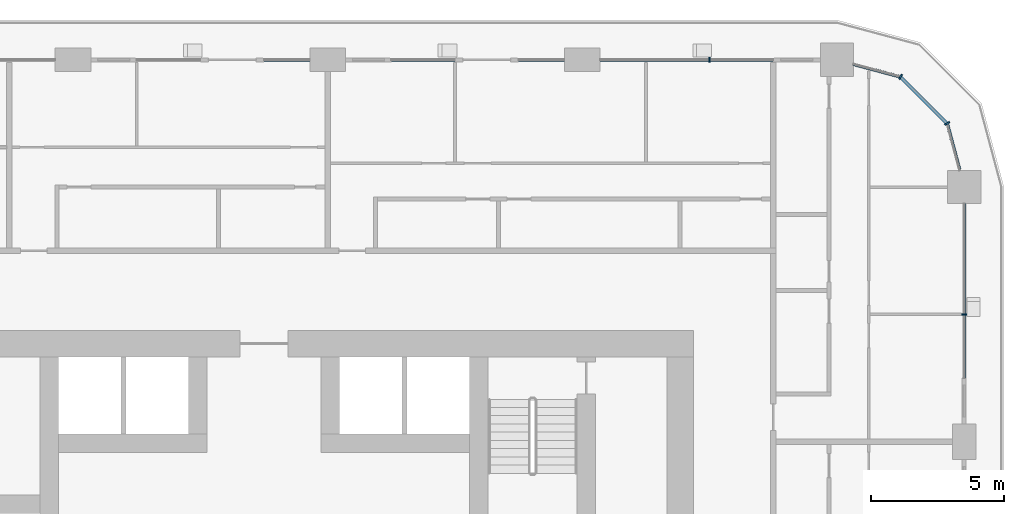
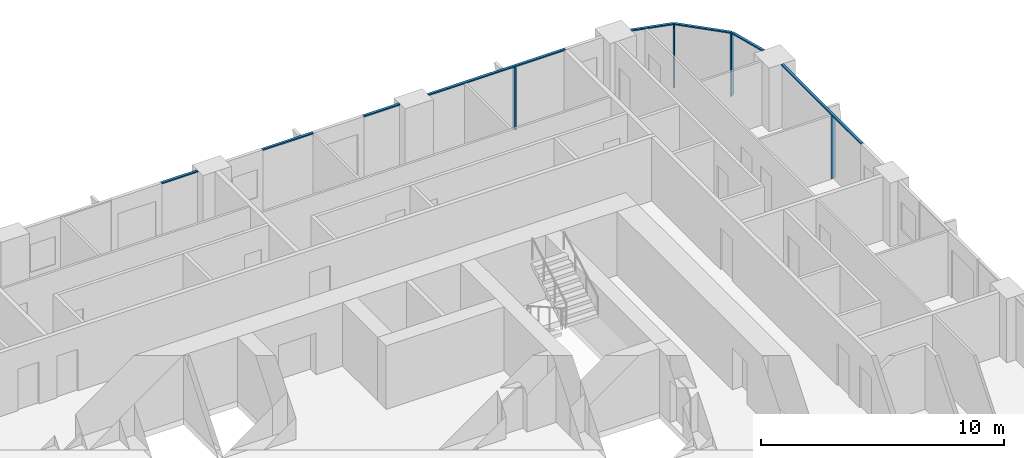
# One storey, part 6 of 21: 12 members, 5 elements without a shape of their own.
"""IFC4 building model written with IfcOpenShell, lengths in metres."""

from ifc_helpers import new_model, si_unit, direction, frame, origin, origin_2d, place, context, subcontext, project, spatial, rectangle, extrude, material, layer, layer_set, material_profile, profile_set, type_object, element, aggregate, save


model = new_model("IFC4")

# Units and contexts
model_context = context("Model", 3, precision=1e-05, world=origin(), true_north=direction((0.0, 1.0)))
body_context = subcontext(model_context, "Body", "Model", "MODEL_VIEW")
ifc_project = project(units=[si_unit("LENGTHUNIT", "METRE"), si_unit("AREAUNIT", "SQUARE_METRE"), si_unit("VOLUMEUNIT", "CUBIC_METRE"), si_unit("PLANEANGLEUNIT", "RADIAN"), si_unit("MASSUNIT", "GRAM", prefix="KILO")], contexts=[model_context])

# Site, building, storey
site_placement = place(None, origin())
site = spatial("IfcSite", under=ifc_project, at=site_placement, CompositionType="ELEMENT")
building_placement = place(site_placement, origin())
building = spatial("IfcBuilding", under=site, at=building_placement, Name="Madar Terraces", CompositionType="ELEMENT")
storey_placement = place(building_placement, frame((0.0, 0.0, 46.89990234375)))
storey = spatial("IfcBuildingStorey", under=building, at=storey_placement, Name="L11", CompositionType="ELEMENT", Elevation=46.89990234375)

# Curtain wall, member
ifc_material_1 = material(Name="Glass, ceramic frit dark grey, with black aluminium frame", Category="aluminium")
ifc_layer = layer(ifc_material_1, 0.199951171875)
ifc_layer_set = layer_set([ifc_layer], Name="Facade curtain wall, fritted glass")
curtain_wall_type = type_object("IfcCurtainWallType", Name="Facade curtain wall, fritted glass", PredefinedType="NOTDEFINED", material=ifc_layer_set)
curtain_wall_1_placement = place(storey_placement, origin())
curtain_wall_1 = element("IfcCurtainWall", 1, at=curtain_wall_1_placement, inside=storey, type_object=curtain_wall_type, Name="Outer skin curtain wall east bay 4", PredefinedType="NOTDEFINED")
ifc_material_2 = material(Name="Aluminium, black anodised", Category="aluminium")
ifc_material_profile_1 = material_profile(ifc_material_2, rectangle(XDim=0.199951171875, YDim=0.06005859375, at=origin_2d()), Name="Facade mullion 60x200")
ifc_profile_set_1 = profile_set([ifc_material_profile_1], Name="Aluminium, black anodised")
member_type_1 = type_object("IfcMemberType", Name="Facade mullion 60x200", PredefinedType="MULLION", material=ifc_profile_set_1)
member_1_placement = place(storey_placement, frame((57.60009765625, 38.39990234375, 0.0), z_axis=(0.0, 0.0, 1.0), x_axis=(-1.0, 0.0, 0.0)))
member_1 = element("IfcMember", 2, at=member_1_placement, type_object=member_type_1, Name="Mullion 1", PredefinedType="MULLION", context=body_context, shape_type="SweptSolid", body=[
    extrude(rectangle(XDim=0.199951171875, YDim=0.06005859375, at=origin_2d()), origin(), (0.0, 0.0, 1.0), 3.14013671875),
])

curtain_wall_2_placement = place(storey_placement, origin())
curtain_wall_2 = element("IfcCurtainWall", 3, at=curtain_wall_2_placement, inside=storey, type_object=curtain_wall_type, Name="Outer skin curtain wall north bay 1", PredefinedType="NOTDEFINED")
member_2_placement = place(storey_placement, frame((48.0, 48.0, 0.0), z_axis=(0.0, 0.0, 1.0), x_axis=(0.0, -1.0, 0.0)))
member_2 = element("IfcMember", 4, at=member_2_placement, type_object=member_type_1, Name="Mullion 1", PredefinedType="MULLION", context=body_context, shape_type="SweptSolid", body=[
    extrude(rectangle(XDim=0.199951171875, YDim=0.06005859375, at=origin_2d()), origin(), (0.0, 0.0, 1.0), 3.14013671875),
])

# Curtain wall, members
curtain_wall_3_placement = place(storey_placement, origin())
curtain_wall_3 = element("IfcCurtainWall", 5, at=curtain_wall_3_placement, inside=storey, type_object=curtain_wall_type, Name="Outer skin curtain wall north-east corner", PredefinedType="NOTDEFINED")
member_3_placement = place(storey_placement, frame((56.95703125, 45.60009765625, 0.0), z_axis=(0.0, 0.0, 1.0), x_axis=(-0.866025409797, -0.499999989586, 0.0)))
member_3 = element("IfcMember", 6, at=member_3_placement, type_object=member_type_1, Name="Mullion 1", PredefinedType="MULLION", context=body_context, shape_type="SweptSolid", body=[
    extrude(rectangle(XDim=0.199951171875, YDim=0.06005859375, at=origin_2d()), origin(), (0.0, 0.0, 1.0), 3.14013671875),
])
member_4_placement = place(storey_placement, frame((55.199951171875, 47.35693359375, 0.0), z_axis=(0.0, 0.0, 1.0), x_axis=(-0.499999989586, -0.866025409797, 0.0)))
member_4 = element("IfcMember", 7, at=member_4_placement, type_object=member_type_1, Name="Mullion 2", PredefinedType="MULLION", context=body_context, shape_type="SweptSolid", body=[
    extrude(rectangle(XDim=0.199951171875, YDim=0.06005859375, at=origin_2d()), origin(), (0.0, 0.0, 1.0), 3.14013671875),
])

# Member
ifc_material_3 = material(Name="Aluminium, black anodised", Category="aluminium")
ifc_material_profile_2 = material_profile(ifc_material_3, rectangle(XDim=0.1201171875, YDim=0.06005859375, at=origin_2d()), Name="Facade transom 60x120")
ifc_profile_set_2 = profile_set([ifc_material_profile_2], Name="Aluminium, black anodised")
member_type_2 = type_object("IfcMemberType", Name="Facade transom 60x120", PredefinedType="USERDEFINED", material=ifc_profile_set_2)
member_5_placement = place(storey_placement, frame((57.60009765625, 36.0, 3.170166015625), z_axis=(0.0, 1.0, 0.0), x_axis=(-1.0, 0.0, 0.0)))
member_5 = element("IfcMember", 8, at=member_5_placement, type_object=member_type_2, Name="Transom 1", ObjectType="TRANSOM", PredefinedType="USERDEFINED", context=body_context, shape_type="SweptSolid", body=[
    extrude(rectangle(XDim=0.1201171875, YDim=0.06005859375, at=origin_2d()), origin(), (0.0, 0.0, 1.0), 6.574951171875),
])

aggregate(curtain_wall_1, [member_1, member_5])

member_6_placement = place(storey_placement, frame((50.39990234375, 48.0, 3.170166015625), z_axis=(-1.0, 0.0, 0.0), x_axis=(0.0, -1.0, 0.0)))
member_6 = element("IfcMember", 9, at=member_6_placement, type_object=member_type_2, Name="Transom 1", ObjectType="TRANSOM", PredefinedType="USERDEFINED", context=body_context, shape_type="SweptSolid", body=[
    extrude(rectangle(XDim=0.1201171875, YDim=0.06005859375, at=origin_2d()), origin(), (0.0, 0.0, 1.0), 6.52490234375),
])

aggregate(curtain_wall_2, [member_2, member_6])

# Curtain wall, members
curtain_wall_4_placement = place(storey_placement, origin())
curtain_wall_4 = element("IfcCurtainWall", 10, at=curtain_wall_4_placement, inside=storey, type_object=curtain_wall_type, Name="Outer skin curtain wall north bay 2", PredefinedType="NOTDEFINED")
member_7_placement = place(storey_placement, frame((42.52490234375, 48.0, 3.170166015625), z_axis=(-1.0, 0.0, 0.0), x_axis=(0.0, -1.0, 0.0)))
member_7 = element("IfcMember", 11, at=member_7_placement, type_object=member_type_2, Name="Transom 1", ObjectType="TRANSOM", PredefinedType="USERDEFINED", context=body_context, shape_type="SweptSolid", body=[
    extrude(rectangle(XDim=0.1201171875, YDim=0.06005859375, at=origin_2d()), origin(), (0.0, 0.0, 1.0), 1.724853515625),
])
member_8_placement = place(storey_placement, frame((38.39990234375, 48.0, 3.170166015625), z_axis=(-1.0, 0.0, 0.0), x_axis=(0.0, -1.0, 0.0)))
member_8 = element("IfcMember", 12, at=member_8_placement, type_object=member_type_2, Name="Transom 2", ObjectType="TRANSOM", PredefinedType="USERDEFINED", context=body_context, shape_type="SweptSolid", body=[
    extrude(rectangle(XDim=0.1201171875, YDim=0.06005859375, at=origin_2d()), origin(), (0.0, 0.0, 1.0), 2.39990234375),
])
aggregate(curtain_wall_4, [member_7, member_8])

# Curtain wall, member
curtain_wall_5_placement = place(storey_placement, origin())
curtain_wall_5 = element("IfcCurtainWall", 13, at=curtain_wall_5_placement, inside=storey, type_object=curtain_wall_type, Name="Outer skin curtain wall north bay 3", PredefinedType="NOTDEFINED")
member_9_placement = place(storey_placement, frame((32.925048828125, 48.0, 3.170166015625), z_axis=(-1.0, 0.0, 0.0), x_axis=(0.0, -1.0, 0.0)))
member_9 = element("IfcMember", 14, at=member_9_placement, type_object=member_type_2, Name="Transom 1", ObjectType="TRANSOM", PredefinedType="USERDEFINED", context=body_context, shape_type="SweptSolid", body=[
    extrude(rectangle(XDim=0.1201171875, YDim=0.06005859375, at=origin_2d()), origin(), (0.0, 0.0, 1.0), 1.72509765625),
])
aggregate(curtain_wall_5, [member_9])

# Member
member_10_placement = place(storey_placement, frame((57.4326171875, 43.824951171875, 3.170166015625), z_axis=(-0.258898097903, 0.965904640688, 0.0), x_axis=(-0.965904640688, -0.258898097903, 0.0)))
member_10 = element("IfcMember", 15, at=member_10_placement, type_object=member_type_2, Name="Transom 1", ObjectType="TRANSOM", PredefinedType="USERDEFINED", context=body_context, shape_type="SweptSolid", body=[
    extrude(rectangle(XDim=0.1201171875, YDim=0.06005859375, at=origin_2d()), origin(), (0.0, 0.0, 1.0), 1.8076171875),
])

member_11_placement = place(storey_placement, frame((56.935791015625, 45.62109375, 3.170166015625), z_axis=(-0.707106781187, 0.707106781187, 0.0), x_axis=(-0.707106781187, -0.707106781187, 0.0)))
member_11 = element("IfcMember", 16, at=member_11_placement, type_object=member_type_2, Name="Transom 2", ObjectType="TRANSOM", PredefinedType="USERDEFINED", context=body_context, shape_type="SweptSolid", body=[
    extrude(rectangle(XDim=0.1201171875, YDim=0.06005859375, at=origin_2d()), origin(), (0.0, 0.0, 1.0), 2.4248046875),
])

member_12_placement = place(storey_placement, frame((55.171142578125, 47.36474609375, 3.170166015625), z_axis=(-0.965938406667, 0.258772089929, 0.0), x_axis=(-0.258772089929, -0.965938406667, 0.0)))
member_12 = element("IfcMember", 17, at=member_12_placement, type_object=member_type_2, Name="Transom 3", ObjectType="TRANSOM", PredefinedType="USERDEFINED", context=body_context, shape_type="SweptSolid", body=[
    extrude(rectangle(XDim=0.1201171875, YDim=0.06005859375, at=origin_2d()), origin(), (0.0, 0.0, 1.0), 1.8076171875),
])

aggregate(curtain_wall_3, [member_3, member_10, member_4, member_11, member_12])

save(model, "model.ifc")
